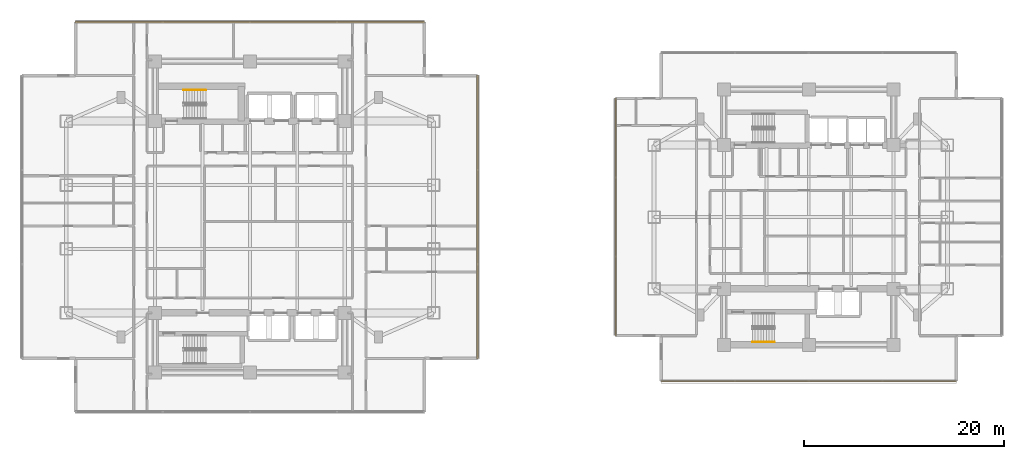
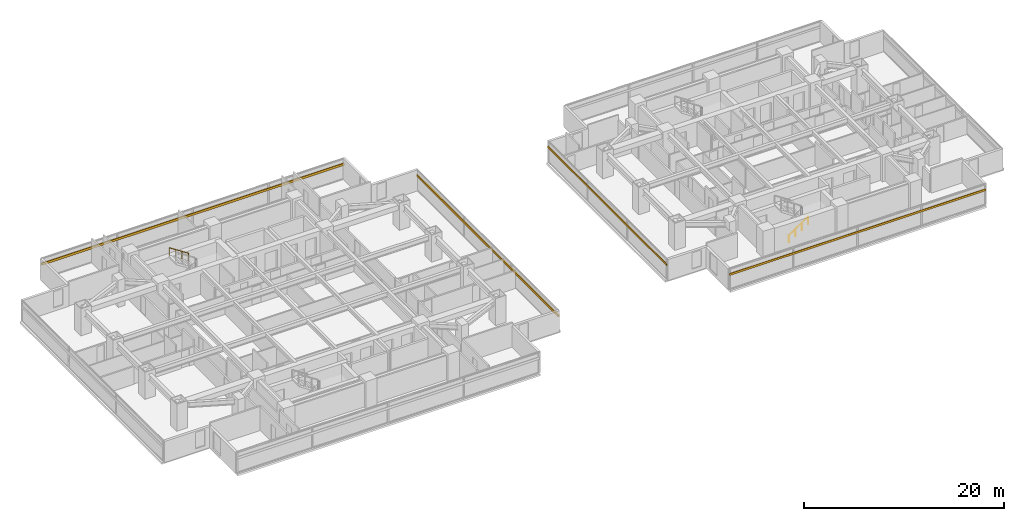
# One storey, part 24 of 26: 4 shading devices, 2 railings.
"""IFC4 building model written with IfcOpenShell, lengths in metres."""

from ifc_helpers import new_model, si_unit, direction, frame, origin, origin_2d, place, context, subcontext, project, spatial, rectangle, circle, extrude, material, material_profile, profile_set, type_object, element, save


model = new_model("IFC4")

# Units and contexts
model_context = context("Model", 3, precision=1e-05, world=origin(), true_north=direction((0.0, 1.0)))
body_context = subcontext(model_context, "Body", "Model", "MODEL_VIEW")
ifc_project = project(units=[si_unit("LENGTHUNIT", "METRE"), si_unit("AREAUNIT", "SQUARE_METRE"), si_unit("VOLUMEUNIT", "CUBIC_METRE"), si_unit("PLANEANGLEUNIT", "RADIAN"), si_unit("MASSUNIT", "GRAM", prefix="KILO")], contexts=[model_context])

# Site, building, storey
site_placement = place(None, origin())
site = spatial("IfcSite", under=ifc_project, at=site_placement, CompositionType="ELEMENT")
building_placement = place(site_placement, origin())
building = spatial("IfcBuilding", under=site, at=building_placement, Name="Mirazonda Arch Towers", CompositionType="ELEMENT")
storey_placement = place(building_placement, frame((0.0, 0.0, 78.5)))
storey = spatial("IfcBuildingStorey", under=building, at=storey_placement, Name="L22", CompositionType="ELEMENT", Elevation=78.5)

# Shading devices
ifc_material_1 = material(Name="Kiln-Fired Architectural Terracotta", Category="masonry")
ifc_material_profile_1 = material_profile(ifc_material_1, rectangle(XDim=0.1201171875, YDim=0.239990234375, at=origin_2d()), Name="TERRA-BAG-120x240")
ifc_profile_set_1 = profile_set([ifc_material_profile_1], Name="Kiln-Fired Architectural Terracotta")
shading_device_type_1 = type_object("IfcShadingDeviceType", Name="BAGUETTE-1", PredefinedType="USERDEFINED", material=ifc_profile_set_1)
shading_device_1_placement = place(storey_placement, frame((91.298095703125, 11.5576171875, 1.84326171875), z_axis=(-1.0, 0.0, 0.0), x_axis=(0.0, -1.0, 0.0)))
element("IfcShadingDevice", 1, at=shading_device_1_placement, inside=storey, type_object=shading_device_type_1, Name="L22 Glazed Terracotta Sun-Screen Baguette CW-L22-T2-S", ObjectType="BAGUETTE", PredefinedType="USERDEFINED", context=body_context, shape_type="SweptSolid", body=[
    extrude(rectangle(XDim=0.1201171875, YDim=0.239990234375, at=origin_2d()), origin(), (0.0, 0.0, 1.0), 29.59619140625),
])
shading_device_2_placement = place(storey_placement, frame((57.156005859375, 39.896484375, 1.84326171875), z_axis=(0.0, -1.0, 0.0), x_axis=(1.0, 0.0, 0.0)))
element("IfcShadingDevice", 2, at=shading_device_2_placement, inside=storey, type_object=shading_device_type_1, Name="L22 Glazed Terracotta Sun-Screen Baguette CW-L22-T2-W", ObjectType="BAGUETTE", PredefinedType="USERDEFINED", context=body_context, shape_type="SweptSolid", body=[
    extrude(rectangle(XDim=0.1201171875, YDim=0.239990234375, at=origin_2d()), origin(), (0.0, 0.0, 1.0), 23.79296875),
])
ifc_material_profile_2 = material_profile(ifc_material_1, rectangle(XDim=0.139892578125, YDim=0.280029296875, at=origin_2d()), Name="TERRA-BAG-140x280")
ifc_profile_set_2 = profile_set([ifc_material_profile_2], Name="Kiln-Fired Architectural Terracotta")
shading_device_type_2 = type_object("IfcShadingDeviceType", Name="BAGUETTE-3", PredefinedType="USERDEFINED", material=ifc_profile_set_2)
shading_device_3_placement = place(storey_placement, frame((43.320068359375, 13.81591796875, 1.84326171875), z_axis=(0.0, 1.0, 0.0), x_axis=(-1.0, 0.0, 0.0)))
element("IfcShadingDevice", 3, at=shading_device_3_placement, inside=storey, type_object=shading_device_type_2, Name="L22 Glazed Terracotta Sun-Screen Baguette CW-L22-T1-E", ObjectType="BAGUETTE", PredefinedType="USERDEFINED", context=body_context, shape_type="SweptSolid", body=[
    extrude(rectangle(XDim=0.139892578125, YDim=0.280029296875, at=origin_2d()), origin(), (0.0, 0.0, 1.0), 28.3681640625),
])
shading_device_4_placement = place(storey_placement, frame((3.02001953125, 47.52392578125, 1.84326171875), z_axis=(1.0, 0.0, 0.0), x_axis=(0.0, 1.0, 0.0)))
element("IfcShadingDevice", 4, at=shading_device_4_placement, inside=storey, type_object=shading_device_type_2, Name="L22 Glazed Terracotta Sun-Screen Baguette CW-L22-T1-N", ObjectType="BAGUETTE", PredefinedType="USERDEFINED", context=body_context, shape_type="SweptSolid", body=[
    extrude(rectangle(XDim=0.139892578125, YDim=0.280029296875, at=origin_2d()), origin(), (0.0, 0.0, 1.0), 34.9599609375),
])

# Railings
ifc_material_2 = material(Name="Architectural Brushed Steel S355", Category="steel")
railing_type = type_object("IfcRailingType", Name="HANDRAIL-915", PredefinedType="HANDRAIL", material=ifc_material_2)
railing_1_placement = place(storey_placement, frame((16.090087890625, 40.7099609375, 1.833251953125)))
element("IfcRailing", 5, at=railing_1_placement, inside=storey, type_object=railing_type, Name="L22 ST-T1N stair handrail 2", PredefinedType="HANDRAIL", context=body_context, shape_type="SweptSolid", body=[
    extrude(circle(Radius=0.02392578125, at=origin_2d()), frame((0.0, 0.0, 0.8759765625), z_axis=(-0.836595146698, 0.0, 0.547821650285), x_axis=(0.0, -1.0, 0.0)), (0.0, 0.0, 1.0), 2.677490234375),
    extrude(circle(Radius=0.02099609375, at=origin_2d()), origin(), (0.0, 0.0, 1.0), 0.851806640625),
    extrude(circle(Radius=0.02099609375, at=origin_2d()), frame((-0.74658203125, 0.0, 0.489013671875)), (0.0, 0.0, 1.0), 0.851806640625),
    extrude(circle(Radius=0.02099609375, at=origin_2d()), frame((-1.493408203125, 0.0, 0.977783203125)), (0.0, 0.0, 1.0), 0.851806640625),
    extrude(circle(Radius=0.02099609375, at=origin_2d()), frame((-2.239990234375, 0.0, 1.466796875)), (0.0, 0.0, 1.0), 0.851806640625),
])
railing_2_placement = place(storey_placement, frame((70.85009765625, 15.469970703125, 0.183349609375)))
element("IfcRailing", 6, at=railing_2_placement, inside=storey, type_object=railing_type, Name="L22 ST-T2S stair handrail 1", PredefinedType="HANDRAIL", context=body_context, shape_type="SweptSolid", body=[
    extrude(circle(Radius=0.02392578125, at=origin_2d()), frame((0.0, 0.0, 0.8759765625), z_axis=(0.836636935527, 0.0, 0.547757827979), x_axis=(0.0, 1.0, 0.0)), (0.0, 0.0, 1.0), 2.677490234375),
    extrude(circle(Radius=0.02099609375, at=origin_2d()), origin(), (0.0, 0.0, 1.0), 0.851806640625),
    extrude(circle(Radius=0.02099609375, at=origin_2d()), frame((0.74658203125, 0.0, 0.48876953125)), (0.0, 0.0, 1.0), 0.851806640625),
    extrude(circle(Radius=0.02099609375, at=origin_2d()), frame((1.493408203125, 0.0, 0.977783203125)), (0.0, 0.0, 1.0), 0.851806640625),
    extrude(circle(Radius=0.02099609375, at=origin_2d()), frame((2.239990234375, 0.0, 1.466552734375)), (0.0, 0.0, 1.0), 0.851806640625),
])

save(model, "model.ifc")
